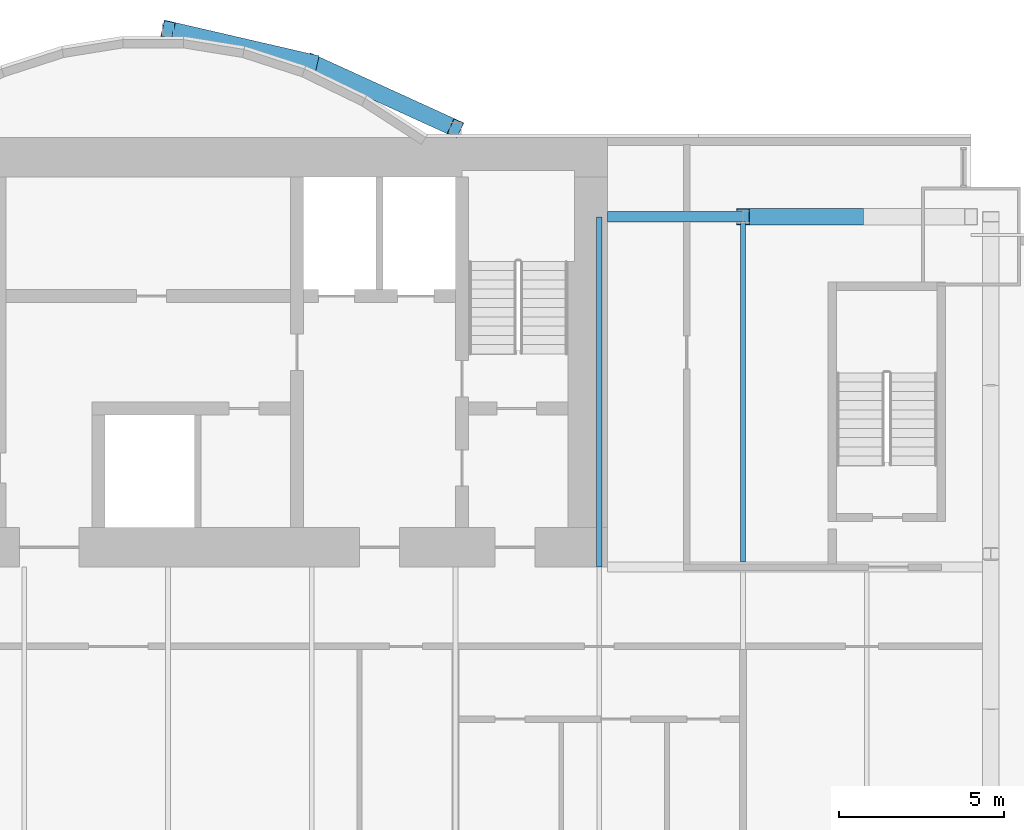
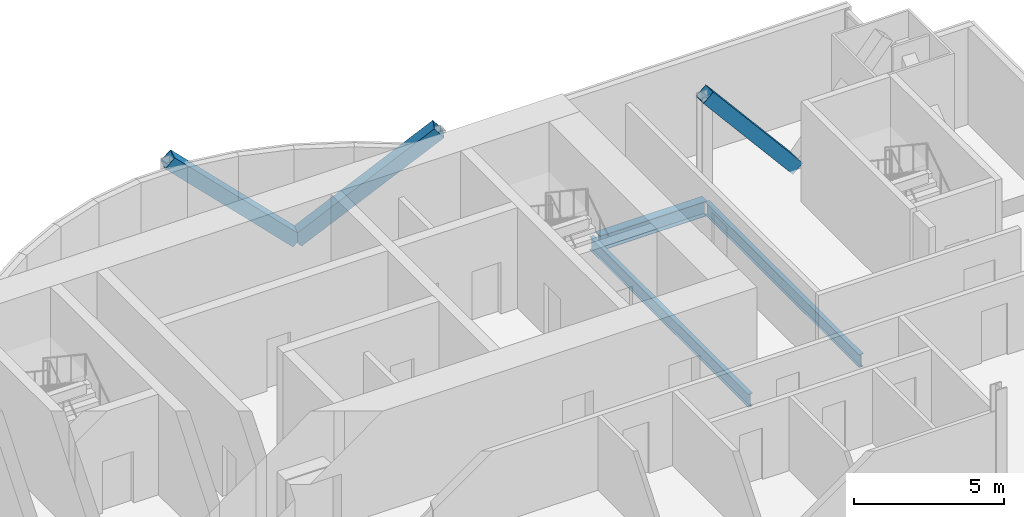
# One storey, part 11 of 21: 3 beams, 3 members.
"""IFC4 building model written with IfcOpenShell, lengths in metres."""

from ifc_helpers import new_model, si_unit, direction, frame, origin, origin_2d, place, context, subcontext, project, spatial, hollow_rectangle, i_section, extrude, material, material_profile, profile_set, type_object, element, save


model = new_model("IFC4")

# Units and contexts
model_context = context("Model", 3, precision=1e-05, world=origin(), true_north=direction((0.0, 1.0)))
body_context = subcontext(model_context, "Body", "Model", "MODEL_VIEW")
ifc_project = project(units=[si_unit("LENGTHUNIT", "METRE"), si_unit("AREAUNIT", "SQUARE_METRE"), si_unit("VOLUMEUNIT", "CUBIC_METRE"), si_unit("PLANEANGLEUNIT", "RADIAN"), si_unit("MASSUNIT", "GRAM", prefix="KILO")], contexts=[model_context])

# Site, building, storey
site_placement = place(None, origin())
site = spatial("IfcSite", under=ifc_project, at=site_placement, CompositionType="ELEMENT")
building_placement = place(site_placement, origin())
building = spatial("IfcBuilding", under=site, at=building_placement, Name="Bicima Exchange Tower", CompositionType="ELEMENT")
storey_placement = place(building_placement, frame((0.0, 0.0, 106.300048828125)))
storey = spatial("IfcBuildingStorey", under=building, at=storey_placement, Name="L22", CompositionType="ELEMENT", Elevation=106.300048828125)

# Beams
ifc_material_1 = material(Name="Steel ASTM A992 Gr 50", Category="steel")
ifc_material_profile_1 = material_profile(ifc_material_1, i_section(OverallWidth=0.165771484375, OverallDepth=0.5283203125, WebThickness=0.009765625, FlangeThickness=0.013671875, at=origin_2d()))
ifc_profile_set_1 = profile_set([ifc_material_profile_1], Name="Steel ASTM A992 Gr 50")
beam_type_1 = type_object("IfcBeamType", Name="Floor beam W21x50", PredefinedType="JOIST", material=ifc_profile_set_1)
beam_1_placement = place(storey_placement, frame((21.75, -2.39990234375, -0.414306640625), z_axis=(0.0, -1.0, 0.0), x_axis=(1.0, 0.0, 0.0)))
element("IfcBeam", 1, at=beam_1_placement, inside=storey, type_object=beam_type_1, Name="Floor beam", PredefinedType="JOIST", context=body_context, shape_type="SweptSolid", body=[
    extrude(i_section(OverallWidth=0.165771484375, OverallDepth=0.5283203125, WebThickness=0.009765625, FlangeThickness=0.013671875, at=origin_2d()), origin(), (0.0, 0.0, 1.0), 10.60009765625),
])
beam_2_placement = place(storey_placement, frame((26.10009765625, -2.5625, -0.414306640625), z_axis=(0.0, -1.0, 0.0), x_axis=(1.0, 0.0, 0.0)))
element("IfcBeam", 2, at=beam_2_placement, inside=storey, type_object=beam_type_1, Name="Floor beam", PredefinedType="JOIST", context=body_context, shape_type="SweptSolid", body=[
    extrude(i_section(OverallWidth=0.165771484375, OverallDepth=0.5283203125, WebThickness=0.009765625, FlangeThickness=0.013671875, at=origin_2d()), origin(), (0.0, 0.0, 1.0), 10.28515625),
])

# Members
ifc_material_2 = material(Name="Steel ASTM A572 Gr 50", Category="steel")
ifc_material_profile_2 = material_profile(ifc_material_2, hollow_rectangle(XDim=0.508056640625, YDim=0.508056640625, WallThickness=0.0146484375, at=origin_2d()))
ifc_profile_set_2 = profile_set([ifc_material_profile_2], Name="Steel ASTM A572 Gr 50")
member_type = type_object("IfcMemberType", Name="Mega brace HSS20x20x5/8", PredefinedType="BRACE", material=ifc_profile_set_2)
member_1_placement = place(storey_placement, frame((13.050048828125, 2.262451171875, 0.0), z_axis=(0.690646390594, -0.3150684101, 0.650952732629), x_axis=(0.415045223819, 0.909800781592, 0.0)))
element("IfcMember", 3, at=member_1_placement, inside=storey, type_object=member_type, Name="Mega brace rexo", PredefinedType="BRACE", context=body_context, shape_type="SweptSolid", body=[
    extrude(hollow_rectangle(XDim=0.508056640625, YDim=0.508056640625, WallThickness=0.0146484375, at=origin_2d()), origin(), (0.0, 0.0, 1.0), 6.29833984375),
])
member_2_placement = place(storey_placement, frame((13.050048828125, 2.262451171875, 0.0), z_axis=(-0.717625168184, 0.166055032463, 0.676342993002), x_axis=(-0.225438503722, -0.974257399787, 0.0)))
element("IfcMember", 4, at=member_2_placement, inside=storey, type_object=member_type, Name="Mega brace rexo", PredefinedType="BRACE", context=body_context, shape_type="SweptSolid", body=[
    extrude(hollow_rectangle(XDim=0.508056640625, YDim=0.508056640625, WallThickness=0.0146484375, at=origin_2d()), origin(), (0.0, 0.0, 1.0), 6.061767578125),
])
member_3_placement = place(storey_placement, frame((29.550048828125, -2.39990234375, 0.0), z_axis=(-0.643856488545, 0.0, 0.765146275008), x_axis=(0.0, -1.0, 0.0)))
element("IfcMember", 5, at=member_3_placement, inside=storey, type_object=member_type, Name="Mega brace rear", PredefinedType="BRACE", context=body_context, shape_type="SweptSolid", body=[
    extrude(hollow_rectangle(XDim=0.508056640625, YDim=0.508056640625, WallThickness=0.0146484375, at=origin_2d()), origin(), (0.0, 0.0, 1.0), 5.358154296875),
])

# Beam
ifc_material_profile_3 = material_profile(ifc_material_1, i_section(OverallWidth=0.3251953125, OverallDepth=0.612060546875, WebThickness=0.0126953125, FlangeThickness=0.01904296875, at=origin_2d()))
ifc_profile_set_3 = profile_set([ifc_material_profile_3], Name="Steel ASTM A992 Gr 50")
beam_type_2 = type_object("IfcBeamType", Name="Rear girder W24x104", PredefinedType="BEAM", material=ifc_profile_set_3)
beam_3_placement = place(storey_placement, frame((22.0, -2.39990234375, -0.4560546875), z_axis=(1.0, 0.0, 0.0), x_axis=(0.0, 1.0, 0.0)))
element("IfcBeam", 6, at=beam_3_placement, inside=storey, type_object=beam_type_2, Name="Rear girder", PredefinedType="BEAM", context=body_context, shape_type="SweptSolid", body=[
    extrude(i_section(OverallWidth=0.3251953125, OverallDepth=0.612060546875, WebThickness=0.0126953125, FlangeThickness=0.01904296875, at=origin_2d()), origin(), (0.0, 0.0, 1.0), 4.10009765625),
])

save(model, "model.ifc")
